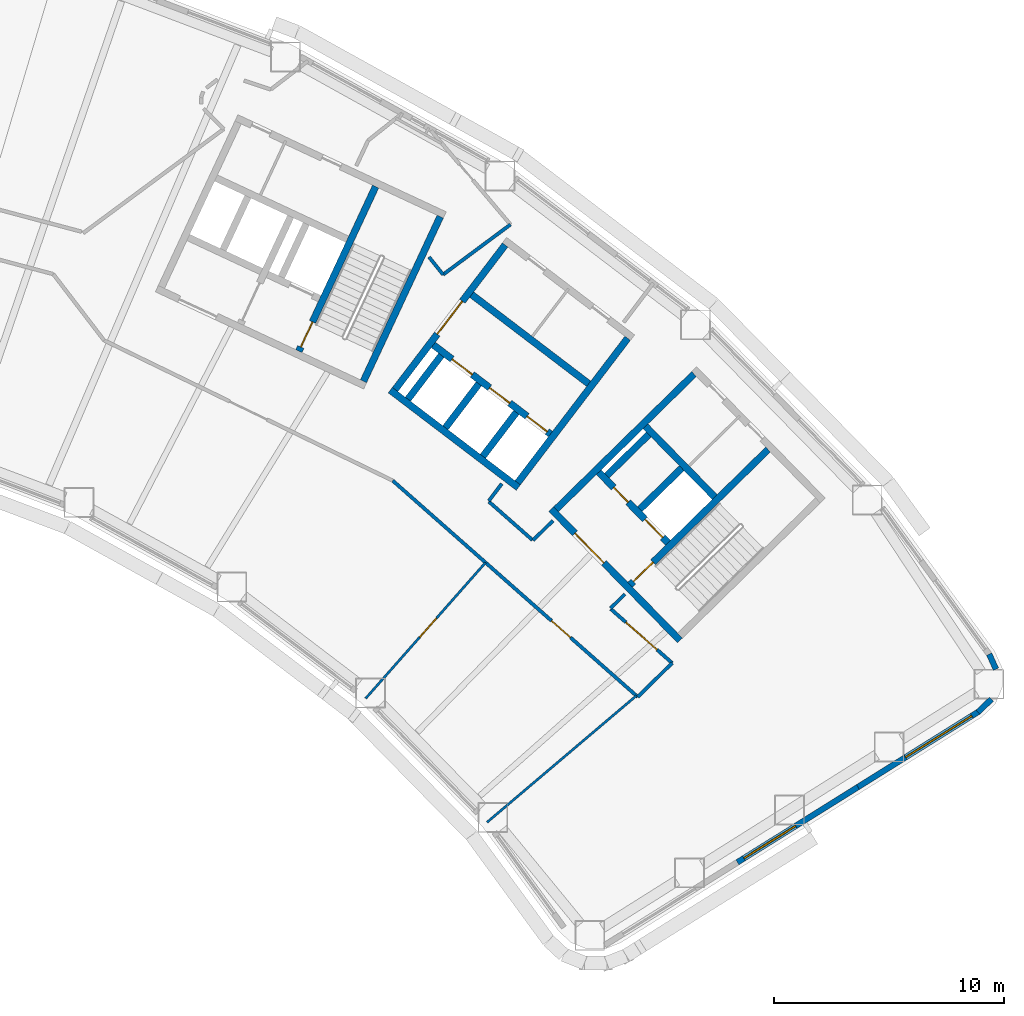
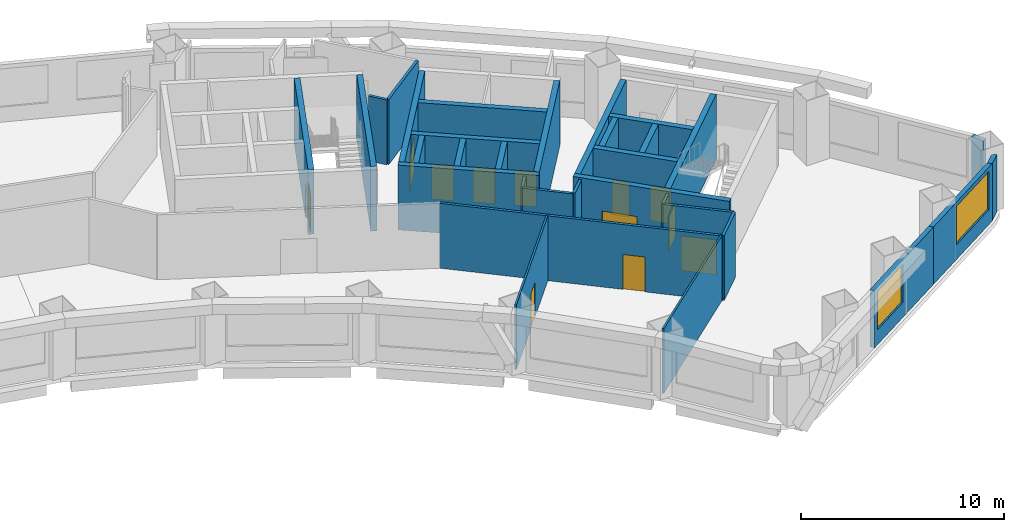
# One storey, part 6 of 14: 32 walls, 12 doors, 2 windows, 14 openings.
"""IFC4 building model written with IfcOpenShell, lengths in metres."""

from ifc_helpers import new_model, si_unit, direction, frame, frame_2d, origin, place, context, subcontext, project, spatial, rectangle, extrude, material, layer, layer_set, type_object, element, fill, save


model = new_model("IFC4")

# Units and contexts
model_context = context("Model", 3, precision=1e-05, world=origin(), true_north=direction((0.0, 1.0)))
body_context = subcontext(model_context, "Body", "Model", "MODEL_VIEW")
ifc_project = project(units=[si_unit("LENGTHUNIT", "METRE"), si_unit("AREAUNIT", "SQUARE_METRE"), si_unit("VOLUMEUNIT", "CUBIC_METRE"), si_unit("PLANEANGLEUNIT", "RADIAN"), si_unit("MASSUNIT", "GRAM", prefix="KILO")], contexts=[model_context])

# Site, building, storey
site_placement = place(None, origin())
site = spatial("IfcSite", under=ifc_project, at=site_placement, CompositionType="ELEMENT")
building_placement = place(site_placement, origin())
building = spatial("IfcBuilding", under=site, at=building_placement, Name="Tuul Gate Civic Tower", CompositionType="ELEMENT")
storey_placement = place(building_placement, frame((0.0, 0.0, 44.10009765625)))
storey = spatial("IfcBuildingStorey", under=building, at=storey_placement, Name="Level 09", CompositionType="ELEMENT", Elevation=44.10009765625)

# Wall, opening, door
ifc_material_1 = material(Name="Concrete C50/60", Category="concrete")
ifc_layer_1 = layer(ifc_material_1, 0.300048828125)
ifc_layer_set_1 = layer_set([ifc_layer_1], Name="Concrete C50/60")
wall_type_1 = type_object("IfcWallType", Name="Core wall C50/60", PredefinedType="SHEAR", material=ifc_layer_set_1)
wall_1_placement = place(storey_placement, frame((48.22509765625, -18.327880859375, 0.0), z_axis=(0.0, 0.0, 1.0), x_axis=(-0.700021979774, 0.714121297703, 0.0)))
wall_1 = element("IfcWall", 1, at=wall_1_placement, inside=storey, type_object=wall_type_1, Name="Core wall", PredefinedType="SHEAR", context=body_context, shape_type="SweptSolid", body=[
    extrude(rectangle(XDim=8.0, YDim=0.300048828125, at=frame_2d((4.0, 0.0))), origin(), (0.0, 0.0, 1.0), 3.89990234375),
])
opening_1_placement = place(wall_1_placement, frame((4.72509765625, 0.0, 0.0)))
opening_1 = element("IfcOpeningElement", 2, at=opening_1_placement, cuts=wall_1, Name="Opening LB-E1-LOBBY-1", PredefinedType="OPENING", context=body_context, shape_type="SweptSolid", body=[
    extrude(rectangle(XDim=1.800048828125, YDim=2.10009765625, at=frame_2d((0.89990234375, 1.050048828125))), frame((0.0, 0.16015625, 0.0), z_axis=(0.0, -1.0, 0.0), x_axis=(1.0, 0.0, 0.0)), (0.0, 0.0, 1.0), 0.320068359375),
])
ifc_material_2 = material(Name="Steel", Category="steel")
door_type_1 = type_object("IfcDoorType", Name="Lobby door", OperationType="DOUBLE_DOOR_SINGLE_SWING", PredefinedType="DOOR", material=ifc_material_2)
door_1_placement = place(opening_1_placement, frame((1.800048828125, 0.0, 0.0), z_axis=(0.0, 0.0, 1.0), x_axis=(-1.0, 0.0, 0.0)))
door_1 = element("IfcDoor", 3, at=door_1_placement, inside=storey, type_object=door_type_1, Name="Lobby door E1-LOBBY", OperationType="DOUBLE_DOOR_SINGLE_SWING", OverallHeight=2.10009765625, OverallWidth=1.800048828125, PredefinedType="DOOR", context=body_context, shape_type="SweptSolid", body=[
    extrude(rectangle(XDim=1.800048828125, YDim=2.10009765625, at=frame_2d((0.900146484375, 1.050048828125))), frame((0.0, 0.02490234375, 0.0), z_axis=(0.0, -1.0, 0.0), x_axis=(1.0, 0.0, 0.0)), (0.0, 0.0, 1.0), 0.050048828125),
])
fill(opening_1, door_1)

# Wall, openings, doors
wall_2_placement = place(storey_placement, frame((47.701904296875, -14.079833984375, 0.0), z_axis=(0.0, 0.0, 1.0), x_axis=(-0.700002721075, 0.714140175657, 0.0)))
wall_2 = element("IfcWall", 4, at=wall_2_placement, inside=storey, type_object=wall_type_1, Name="Core wall", PredefinedType="SHEAR", context=body_context, shape_type="SweptSolid", body=[
    extrude(rectangle(XDim=4.300048828125, YDim=0.300048828125, at=frame_2d((2.14990234375, 0.0))), origin(), (0.0, 0.0, 1.0), 3.89990234375),
])
opening_2_placement = place(wall_2_placement, frame((0.324951171875, 0.0, 0.0)))
opening_2 = element("IfcOpeningElement", 5, at=opening_2_placement, cuts=wall_2, Name="Opening LD-L4", PredefinedType="OPENING", context=body_context, shape_type="SweptSolid", body=[
    extrude(rectangle(XDim=1.10009765625, YDim=2.10009765625, at=frame_2d((0.550048828125, 1.050048828125))), frame((0.0, 0.16015625, 0.0), z_axis=(0.0, -1.0, 0.0), x_axis=(1.0, 0.0, 0.0)), (0.0, 0.0, 1.0), 0.320068359375),
])
opening_3_placement = place(wall_2_placement, frame((2.47509765625, 0.0, 0.0)))
opening_3 = element("IfcOpeningElement", 6, at=opening_3_placement, cuts=wall_2, Name="Opening FB-E1A2", PredefinedType="OPENING", context=body_context, shape_type="SweptSolid", body=[
    extrude(rectangle(XDim=0.89990234375, YDim=2.10009765625, at=frame_2d((0.449951171875, 1.050048828125))), frame((0.0, 0.16015625, 0.0), z_axis=(0.0, -1.0, 0.0), x_axis=(1.0, 0.0, 0.0)), (0.0, 0.0, 1.0), 0.320068359375),
])
ifc_material_3 = material(Name="Stainless steel", Category="steel")
door_type_2 = type_object("IfcDoorType", Name="Landing door", OperationType="DOUBLE_DOOR_SLIDING", PredefinedType="DOOR", material=ifc_material_3)
door_2_placement = place(opening_2_placement, origin())
door_2 = element("IfcDoor", 7, at=door_2_placement, inside=storey, type_object=door_type_2, Name="Low-rise lift L4 landing door", OperationType="DOUBLE_DOOR_SLIDING", OverallHeight=2.10009765625, OverallWidth=1.10009765625, PredefinedType="DOOR", context=body_context, shape_type="SweptSolid", body=[
    extrude(rectangle(XDim=1.10009765625, YDim=2.10009765625, at=frame_2d((0.550048828125, 1.050048828125))), frame((0.0, 0.02490234375, 0.0), z_axis=(0.0, -1.0, 0.0), x_axis=(1.0, 0.0, 0.0)), (0.0, 0.0, 1.0), 0.050048828125),
])
fill(opening_2, door_2)
ifc_material_4 = material(Name="Steel", Category="steel")
door_type_3 = type_object("IfcDoorType", Name="Store door", OperationType="NOTDEFINED", PredefinedType="DOOR", material=ifc_material_4)
door_3_placement = place(opening_3_placement, frame((0.89990234375, 0.0, 0.0), z_axis=(0.0, 0.0, 1.0), x_axis=(-1.0, 0.0, 0.0)))
door_3 = element("IfcDoor", 8, at=door_3_placement, inside=storey, type_object=door_type_3, Name="Store door E1A2", OperationType="SINGLE_SWING_LEFT", OverallHeight=2.10009765625, OverallWidth=0.89990234375, PredefinedType="DOOR", context=body_context, shape_type="SweptSolid", body=[
    extrude(rectangle(XDim=0.89990234375, YDim=2.10009765625, at=frame_2d((0.449951171875, 1.050048828125))), frame((0.0, 0.02490234375, 0.0), z_axis=(0.0, -1.0, 0.0), x_axis=(1.0, 0.0, 0.0)), (0.0, 0.0, 1.0), 0.050048828125),
])
fill(opening_3, door_3)

# Wall
wall_3_placement = place(storey_placement, frame((49.737060546875, -12.0849609375, 0.0), z_axis=(0.0, 0.0, 1.0), x_axis=(-0.700002721075, 0.714140175657, 0.0)))
element("IfcWall", 9, at=wall_3_placement, inside=storey, type_object=wall_type_1, Name="Core wall", PredefinedType="SHEAR", context=body_context, shape_type="SweptSolid", body=[
    extrude(rectangle(XDim=4.300048828125, YDim=0.300048828125, at=frame_2d((2.14990234375, 0.0))), origin(), (0.0, 0.0, 1.0), 3.89990234375),
])

# Wall, opening, door
wall_4_placement = place(storey_placement, frame((46.05712890625, -15.902099609375, 0.0), z_axis=(0.0, 0.0, 1.0), x_axis=(0.714134086973, 0.700008932674, 0.0)))
wall_4 = element("IfcWall", 10, at=wall_4_placement, inside=storey, type_object=wall_type_1, Name="Core wall", PredefinedType="SHEAR", context=body_context, shape_type="SweptSolid", body=[
    extrude(rectangle(XDim=8.400146484375, YDim=0.300048828125, at=frame_2d((4.2001953125, 0.0))), origin(), (0.0, 0.0, 1.0), 3.89990234375),
])
opening_4_placement = place(wall_4_placement, frame((0.199951171875, 0.0, 0.0)))
opening_4 = element("IfcOpeningElement", 11, at=opening_4_placement, cuts=wall_4, Name="Opening SD-ST-3", PredefinedType="OPENING", context=body_context, shape_type="SweptSolid", body=[
    extrude(rectangle(XDim=1.199951171875, YDim=2.10009765625, at=frame_2d((0.60009765625, 1.050048828125))), frame((0.0, 0.16015625, 0.0), z_axis=(0.0, -1.0, 0.0), x_axis=(1.0, 0.0, 0.0)), (0.0, 0.0, 1.0), 0.320068359375),
])
ifc_material_5 = material(Name="Steel", Category="steel")
door_type_4 = type_object("IfcDoorType", Name="Stair door", OperationType="NOTDEFINED", PredefinedType="DOOR", material=ifc_material_5)
door_4_placement = place(opening_4_placement, origin())
door_4 = element("IfcDoor", 12, at=door_4_placement, inside=storey, type_object=door_type_4, Name="Stair door ST-3", OperationType="SINGLE_SWING_LEFT", OverallHeight=2.10009765625, OverallWidth=1.199951171875, PredefinedType="DOOR", context=body_context, shape_type="SweptSolid", body=[
    extrude(rectangle(XDim=1.199951171875, YDim=2.10009765625, at=frame_2d((0.60009765625, 1.050048828125))), frame((0.0, 0.02490234375, 0.0), z_axis=(0.0, -1.0, 0.0), x_axis=(1.0, 0.0, 0.0)), (0.0, 0.0, 1.0), 0.050048828125),
])
fill(opening_4, door_4)

# Walls
wall_5_placement = place(storey_placement, frame((46.47900390625, -12.617919921875, 0.0), z_axis=(0.0, 0.0, 1.0), x_axis=(0.71410944159, 0.700034074479, 0.0)))
element("IfcWall", 13, at=wall_5_placement, inside=storey, type_object=wall_type_1, Name="Core wall", PredefinedType="SHEAR", context=body_context, shape_type="SweptSolid", body=[
    extrude(rectangle(XDim=2.5498046875, YDim=0.300048828125, at=frame_2d((1.27490234375, 0.0))), origin(), (0.0, 0.0, 1.0), 3.89990234375),
])
wall_6_placement = place(storey_placement, frame((45.0439453125, -11.154052734375, 0.0), z_axis=(0.0, 0.0, 1.0), x_axis=(0.714108498262, 0.700035036773, 0.0)))
element("IfcWall", 14, at=wall_6_placement, inside=storey, type_object=wall_type_1, Name="Core wall", PredefinedType="SHEAR", context=body_context, shape_type="SweptSolid", body=[
    extrude(rectangle(XDim=2.550048828125, YDim=0.300048828125, at=frame_2d((1.27490234375, 0.0))), origin(), (0.0, 0.0, 1.0), 3.89990234375),
])
wall_7_placement = place(storey_placement, frame((42.837158203125, -12.616943359375, 0.0), z_axis=(0.0, 0.0, 1.0), x_axis=(0.714119844755, 0.700023461983, 0.0)))
element("IfcWall", 15, at=wall_7_placement, inside=storey, type_object=wall_type_1, Name="Core wall", PredefinedType="SHEAR", context=body_context, shape_type="SweptSolid", body=[
    extrude(rectangle(XDim=8.39990234375, YDim=0.300048828125, at=frame_2d((4.199951171875, 0.0))), origin(), (0.0, 0.0, 1.0), 3.89990234375),
])
wall_8_placement = place(storey_placement, frame((34.455810546875, -7.05078125, 0.0), z_axis=(0.0, 0.0, 1.0), x_axis=(0.422570768258, 0.906329932096, 0.0)))
element("IfcWall", 16, at=wall_8_placement, inside=storey, type_object=wall_type_1, Name="Core wall", PredefinedType="SHEAR", context=body_context, shape_type="SweptSolid", body=[
    extrude(rectangle(XDim=7.900146484375, YDim=0.300048828125, at=frame_2d((3.9501953125, 0.0))), origin(), (0.0, 0.0, 1.0), 3.89990234375),
])

# Wall, opening, door
wall_9_placement = place(storey_placement, frame((31.646240234375, -5.740478515625, 0.0), z_axis=(0.0, 0.0, 1.0), x_axis=(0.422582604137, 0.906324413596, 0.0)))
wall_9 = element("IfcWall", 17, at=wall_9_placement, inside=storey, type_object=wall_type_1, Name="Core wall", PredefinedType="SHEAR", context=body_context, shape_type="SweptSolid", body=[
    extrude(rectangle(XDim=7.89990234375, YDim=0.300048828125, at=frame_2d((3.949951171875, 0.0))), origin(), (0.0, 0.0, 1.0), 3.89990234375),
])
opening_5_placement = place(wall_9_placement, frame((0.199951171875, 0.0, 0.0)))
opening_5 = element("IfcOpeningElement", 18, at=opening_5_placement, cuts=wall_9, Name="Opening SD-ST-4", PredefinedType="OPENING", context=body_context, shape_type="SweptSolid", body=[
    extrude(rectangle(XDim=1.199951171875, YDim=2.10009765625, at=frame_2d((0.60009765625, 1.050048828125))), frame((0.0, 0.16015625, 0.0), z_axis=(0.0, -1.0, 0.0), x_axis=(1.0, 0.0, 0.0)), (0.0, 0.0, 1.0), 0.320068359375),
])
door_5_placement = place(opening_5_placement, origin())
door_5 = element("IfcDoor", 19, at=door_5_placement, inside=storey, type_object=door_type_4, Name="Stair door ST-4", OperationType="SINGLE_SWING_LEFT", OverallHeight=2.10009765625, OverallWidth=1.199951171875, PredefinedType="DOOR", context=body_context, shape_type="SweptSolid", body=[
    extrude(rectangle(XDim=1.199951171875, YDim=2.10009765625, at=frame_2d((0.60009765625, 1.050048828125))), frame((0.0, 0.02490234375, 0.0), z_axis=(0.0, -1.0, 0.0), x_axis=(1.0, 0.0, 0.0)), (0.0, 0.0, 1.0), 0.050048828125),
])
fill(opening_5, door_5)

ifc_material_6 = material(Name="Gypsum board partition")
ifc_layer_2 = layer(ifc_material_6, 0.14990234375)
ifc_layer_set_2 = layer_set([ifc_layer_2], Name="Gypsum board partition")
wall_type_2 = type_object("IfcWallType", Name="Corridor wall P150", PredefinedType="PARTITIONING", material=ifc_layer_set_2)
wall_10_placement = place(storey_placement, frame((35.7294921875, -11.376708984375, 0.0), z_axis=(0.0, 0.0, 1.0), x_axis=(0.749813799655, -0.661648899226, 0.0)))
wall_10 = element("IfcWall", 20, at=wall_10_placement, inside=storey, type_object=wall_type_2, Name="p002", PredefinedType="PARTITIONING", context=body_context, shape_type="SweptSolid", body=[
    extrude(rectangle(XDim=14.216796875, YDim=0.14990234375, at=frame_2d((7.1083984375, 0.0))), origin(), (0.0, 0.0, 1.0), 3.89990234375),
])
opening_6_placement = place(wall_10_placement, frame((9.210205078125, 0.0, 0.0)))
opening_6 = element("IfcOpeningElement", 21, at=opening_6_placement, cuts=wall_10, Name="Opening B-D07", PredefinedType="OPENING", context=body_context, shape_type="SweptSolid", body=[
    extrude(rectangle(XDim=1.10009765625, YDim=2.10009765625, at=frame_2d((0.550048828125, 1.050048828125))), frame((0.0, 0.0849609375, 0.0), z_axis=(0.0, -1.0, 0.0), x_axis=(1.0, 0.0, 0.0)), (0.0, 0.0, 1.0), 0.169921875),
])
ifc_material_7 = material(Name="Timber door leaf", Category="wood")
door_type_5 = type_object("IfcDoorType", Name="Door D11", OperationType="NOTDEFINED", PredefinedType="DOOR", material=ifc_material_7)
door_6_placement = place(opening_6_placement, frame((1.10009765625, 0.0, 0.0), z_axis=(0.0, 0.0, 1.0), x_axis=(-1.0, 0.0, 0.0)))
door_6 = element("IfcDoor", 22, at=door_6_placement, inside=storey, type_object=door_type_5, Name="Door B-D07", OperationType="SINGLE_SWING_LEFT", OverallHeight=2.10009765625, OverallWidth=1.10009765625, PredefinedType="DOOR", context=body_context, shape_type="SweptSolid", body=[
    extrude(rectangle(XDim=1.10009765625, YDim=2.10009765625, at=frame_2d((0.550048828125, 1.050048828125))), frame((0.0, 0.02490234375, 0.0), z_axis=(0.0, -1.0, 0.0), x_axis=(1.0, 0.0, 0.0)), (0.0, 0.0, 1.0), 0.050048828125),
])
fill(opening_6, door_6)

# Walls
wall_11_placement = place(storey_placement, frame((46.389404296875, -20.783203125, 0.0), z_axis=(0.0, 0.0, 1.0), x_axis=(0.711568254361, 0.702616979147, 0.0)))
element("IfcWall", 23, at=wall_11_placement, inside=storey, type_object=wall_type_2, Name="p003", PredefinedType="PARTITIONING", context=body_context, shape_type="SweptSolid", body=[
    extrude(rectangle(XDim=2.10009765625, YDim=0.14990234375, at=frame_2d((1.050048828125, 0.0))), origin(), (0.0, 0.0, 1.0), 3.89990234375),
])
wall_12_placement = place(storey_placement, frame((39.9091796875, -12.28662109375, 0.0), z_axis=(0.0, 0.0, 1.0), x_axis=(0.75053401332, -0.660831820397, 0.0)))
element("IfcWall", 24, at=wall_12_placement, inside=storey, type_object=wall_type_2, Name="p004", PredefinedType="PARTITIONING", context=body_context, shape_type="SweptSolid", body=[
    extrude(rectangle(XDim=2.53662109375, YDim=0.14990234375, at=frame_2d((1.268310546875, 0.0))), origin(), (0.0, 0.0, 1.0), 3.89990234375),
])

# Wall, opening, door
wall_13_placement = place(storey_placement, frame((45.210693359375, -16.954345703125, 0.0), z_axis=(0.0, 0.0, 1.0), x_axis=(0.750581589345, -0.660777782418, 0.0)))
wall_13 = element("IfcWall", 25, at=wall_13_placement, inside=storey, type_object=wall_type_2, Name="p005", PredefinedType="PARTITIONING", context=body_context, shape_type="SweptSolid", body=[
    extrude(rectangle(XDim=3.561279296875, YDim=0.14990234375, at=frame_2d((1.78076171875, 0.0))), origin(), (0.0, 0.0, 1.0), 3.89990234375),
])
opening_7_placement = place(wall_13_placement, frame((0.880615234375, 0.0, 0.0)))
opening_7 = element("IfcOpeningElement", 26, at=opening_7_placement, cuts=wall_13, Name="Opening B-D01", PredefinedType="OPENING", context=body_context, shape_type="SweptSolid", body=[
    extrude(rectangle(XDim=1.800048828125, YDim=2.10009765625, at=frame_2d((0.89990234375, 1.050048828125))), frame((0.0, 0.0849609375, 0.0), z_axis=(0.0, -1.0, 0.0), x_axis=(1.0, 0.0, 0.0)), (0.0, 0.0, 1.0), 0.169921875),
])
ifc_material_8 = material(Name="Timber door leaf, double", Category="wood")
door_type_6 = type_object("IfcDoorType", Name="Door D18", OperationType="DOUBLE_DOOR_SINGLE_SWING", PredefinedType="DOOR", material=ifc_material_8)
door_7_placement = place(opening_7_placement, frame((1.800048828125, 0.0, 0.0), z_axis=(0.0, 0.0, 1.0), x_axis=(-1.0, 0.0, 0.0)))
door_7 = element("IfcDoor", 27, at=door_7_placement, inside=storey, type_object=door_type_6, Name="Door B-D01", OperationType="DOUBLE_DOOR_SINGLE_SWING", OverallHeight=2.10009765625, OverallWidth=1.800048828125, PredefinedType="DOOR", context=body_context, shape_type="SweptSolid", body=[
    extrude(rectangle(XDim=1.800048828125, YDim=2.10009765625, at=frame_2d((0.900146484375, 1.050048828125))), frame((0.0, 0.02490234375, 0.0), z_axis=(0.0, -1.0, 0.0), x_axis=(1.0, 0.0, 0.0)), (0.0, 0.0, 1.0), 0.050048828125),
])
fill(opening_7, door_7)

# Walls
wall_14_placement = place(storey_placement, frame((45.2099609375, -16.924560546875, 0.0), z_axis=(0.0, 0.0, 1.0), x_axis=(0.710880918449, 0.703312391321, 0.0)))
element("IfcWall", 28, at=wall_14_placement, inside=storey, type_object=wall_type_2, Name="p006", PredefinedType="PARTITIONING", context=body_context, shape_type="SweptSolid", body=[
    extrude(rectangle(XDim=0.870849609375, YDim=0.14990234375, at=frame_2d((0.435546875, 0.0))), origin(), (0.0, 0.0, 1.0), 3.89990234375),
])
wall_15_placement = place(storey_placement, frame((41.836669921875, -13.965576171875, 0.0), z_axis=(0.0, 0.0, 1.0), x_axis=(0.712339919923, 0.701834623316, 0.0)))
element("IfcWall", 29, at=wall_15_placement, inside=storey, type_object=wall_type_2, Name="p007", PredefinedType="PARTITIONING", context=body_context, shape_type="SweptSolid", body=[
    extrude(rectangle(XDim=1.20849609375, YDim=0.14990234375, at=frame_2d((0.604248046875, 0.0))), origin(), (0.0, 0.0, 1.0), 3.89990234375),
])
wall_16_placement = place(storey_placement, frame((39.90625, -12.2587890625, 0.0), z_axis=(0.0, 0.0, 1.0), x_axis=(0.602818411343, 0.797878413636, 0.0)))
element("IfcWall", 30, at=wall_16_placement, inside=storey, type_object=wall_type_2, Name="p008", PredefinedType="PARTITIONING", context=body_context, shape_type="SweptSolid", body=[
    extrude(rectangle(XDim=0.941162109375, YDim=0.14990234375, at=frame_2d((0.470703125, 0.0))), origin(), (0.0, 0.0, 1.0), 3.89990234375),
])
wall_17_placement = place(storey_placement, frame((37.91796875, -2.41162109375, 0.0), z_axis=(0.0, 0.0, 1.0), x_axis=(0.802678044925, 0.59641257213, 0.0)))
element("IfcWall", 31, at=wall_17_placement, inside=storey, type_object=wall_type_2, Name="p010", PredefinedType="PARTITIONING", context=body_context, shape_type="SweptSolid", body=[
    extrude(rectangle(XDim=3.65380859375, YDim=0.14990234375, at=frame_2d((1.826904296875, 0.0))), origin(), (0.0, 0.0, 1.0), 3.89990234375),
])
wall_18_placement = place(storey_placement, frame((37.30712890625, -1.6455078125, 0.0), z_axis=(0.0, 0.0, 1.0), x_axis=(0.623417987598, -0.781888747035, 0.0)))
element("IfcWall", 32, at=wall_18_placement, inside=storey, type_object=wall_type_2, Name="p011", PredefinedType="PARTITIONING", context=body_context, shape_type="SweptSolid", body=[
    extrude(rectangle(XDim=0.979736328125, YDim=0.14990234375, at=frame_2d((0.48974609375, 0.0))), origin(), (0.0, 0.0, 1.0), 3.89990234375),
])
ifc_material_9 = material(Name="Precast concrete C40/50", Category="concrete")
ifc_layer_3 = layer(ifc_material_9, 0.25)
ifc_layer_set_3 = layer_set([ifc_layer_3], Name="Precast concrete C40/50")
wall_type_3 = type_object("IfcWallType", Name="External wall", PredefinedType="STANDARD", material=ifc_layer_set_3)
wall_19_placement = place(storey_placement, frame((61.1904296875, -21.442626953125, 0.0), z_axis=(0.0, 0.0, 1.0), x_axis=(0.722244224905, 0.691638113172, 0.0)))
element("IfcWall", 33, at=wall_19_placement, inside=storey, type_object=wall_type_3, Name="External wall", PredefinedType="STANDARD", context=body_context, shape_type="SweptSolid", body=[
    extrude(rectangle(XDim=0.813720703125, YDim=0.25, at=frame_2d((0.40673828125, 0.0))), origin(), (0.0, 0.0, 1.0), 3.449951171875),
])
wall_20_placement = place(storey_placement, frame((61.973388671875, -19.580078125, 0.0), z_axis=(0.0, 0.0, 1.0), x_axis=(-0.412831515496, 0.910807410934, 0.0)))
element("IfcWall", 34, at=wall_20_placement, inside=storey, type_object=wall_type_3, Name="External wall", PredefinedType="STANDARD", context=body_context, shape_type="SweptSolid", body=[
    extrude(rectangle(XDim=0.7197265625, YDim=0.25, at=frame_2d((0.35986328125, 0.0))), origin(), (0.0, 0.0, 1.0), 3.449951171875),
])

# Wall, opening, window
wall_21_placement = place(storey_placement, frame((50.72412109375, -27.979736328125, 0.0), z_axis=(0.0, 0.0, 1.0), x_axis=(0.848053758074, 0.529910203164, 0.0)))
wall_21 = element("IfcWall", 35, at=wall_21_placement, inside=storey, type_object=wall_type_3, Name="External wall", PredefinedType="STANDARD", context=body_context, shape_type="SweptSolid", body=[
    extrude(rectangle(XDim=6.182861328125, YDim=0.25, at=frame_2d((3.09130859375, 0.0))), origin(), (0.0, 0.0, 1.0), 3.449951171875),
])
opening_8_placement = place(wall_21_placement, frame((0.3330078125, 0.0, 0.89990234375)))
opening_8 = element("IfcOpeningElement", 36, at=opening_8_placement, cuts=wall_21, Name="Opening W37", PredefinedType="OPENING", context=body_context, shape_type="SweptSolid", body=[
    extrude(rectangle(XDim=2.64990234375, YDim=2.300048828125, at=frame_2d((1.324951171875, 1.14990234375))), frame((0.0, 0.135009765625, 0.0), z_axis=(0.0, -1.0, 0.0), x_axis=(1.0, 0.0, 0.0)), (0.0, 0.0, 1.0), 0.27001953125),
])
ifc_material_10 = material(Name="Glass", Category="glass")
window_type_1 = type_object("IfcWindowType", Name="Window 2650 x 2300", PartitioningType="SINGLE_PANEL", PredefinedType="WINDOW", material=ifc_material_10)
window_1_placement = place(opening_8_placement, origin())
window_1 = element("IfcWindow", 37, at=window_1_placement, inside=storey, type_object=window_type_1, Name="Window", OverallHeight=2.300048828125, OverallWidth=2.64990234375, PartitioningType="SINGLE_PANEL", PredefinedType="WINDOW", context=body_context, shape_type="SweptSolid", body=[
    extrude(rectangle(XDim=2.64990234375, YDim=2.300048828125, at=frame_2d((1.324951171875, 1.14990234375))), frame((0.0, 0.030029296875, 0.0), z_axis=(0.0, -1.0, 0.0), x_axis=(1.0, 0.0, 0.0)), (0.0, 0.0, 1.0), 0.06005859375),
])
fill(opening_8, window_1)

wall_22_placement = place(storey_placement, frame((55.967529296875, -24.703369140625, 0.0), z_axis=(0.0, 0.0, 1.0), x_axis=(0.848042669488, 0.529927948619, 0.0)))
wall_22 = element("IfcWall", 38, at=wall_22_placement, inside=storey, type_object=wall_type_3, Name="External wall", PredefinedType="STANDARD", context=body_context, shape_type="SweptSolid", body=[
    extrude(rectangle(XDim=6.1826171875, YDim=0.25, at=frame_2d((3.09130859375, 0.0))), origin(), (0.0, 0.0, 1.0), 3.449951171875),
])
opening_9_placement = place(wall_22_placement, frame((2.443115234375, 0.0, 0.89990234375)))
opening_9 = element("IfcOpeningElement", 39, at=opening_9_placement, cuts=wall_22, Name="Opening W32", PredefinedType="OPENING", context=body_context, shape_type="SweptSolid", body=[
    extrude(rectangle(XDim=3.39990234375, YDim=2.300048828125, at=frame_2d((1.699951171875, 1.14990234375))), frame((0.0, 0.135009765625, 0.0), z_axis=(0.0, -1.0, 0.0), x_axis=(1.0, 0.0, 0.0)), (0.0, 0.0, 1.0), 0.27001953125),
])
ifc_material_11 = material(Name="Glass", Category="glass")
window_type_2 = type_object("IfcWindowType", Name="Window 3400 x 2300", PartitioningType="SINGLE_PANEL", PredefinedType="WINDOW", material=ifc_material_11)
window_2_placement = place(opening_9_placement, origin())
window_2 = element("IfcWindow", 40, at=window_2_placement, inside=storey, type_object=window_type_2, Name="Window", OverallHeight=2.300048828125, OverallWidth=3.39990234375, PartitioningType="SINGLE_PANEL", PredefinedType="WINDOW", context=body_context, shape_type="SweptSolid", body=[
    extrude(rectangle(XDim=3.39990234375, YDim=2.300048828125, at=frame_2d((1.699951171875, 1.14990234375))), frame((0.0, 0.030029296875, 0.0), z_axis=(0.0, -1.0, 0.0), x_axis=(1.0, 0.0, 0.0)), (0.0, 0.0, 1.0), 0.06005859375),
])
fill(opening_9, window_2)

# Wall
ifc_material_12 = material(Name="Concrete C40/50", Category="concrete")
ifc_layer_4 = layer(ifc_material_12, 0.300048828125)
ifc_layer_set_4 = layer_set([ifc_layer_4], Name="Concrete C40/50")
wall_type_4 = type_object("IfcWallType", Name="Lift shaft wall C40/50", PredefinedType="STANDARD", material=ifc_layer_set_4)
wall_23_placement = place(storey_placement, frame((41.19189453125, -11.677734375, 0.0), z_axis=(0.0, 0.0, 1.0), x_axis=(-0.795563000331, 0.605870871147, 0.0)))
element("IfcWall", 41, at=wall_23_placement, inside=storey, type_object=wall_type_4, Name="Shaft wall", PredefinedType="STANDARD", context=body_context, shape_type="SweptSolid", body=[
    extrude(rectangle(XDim=7.000244140625, YDim=0.300048828125, at=frame_2d((3.5, 0.0))), origin(), (0.0, 0.0, 1.0), 3.89990234375),
])

# Wall, openings, doors
wall_24_placement = place(storey_placement, frame((42.5888671875, -9.34765625, 0.0), z_axis=(0.0, 0.0, 1.0), x_axis=(-0.795584062101, 0.605843214149, 0.0)))
wall_24 = element("IfcWall", 42, at=wall_24_placement, inside=storey, type_object=wall_type_4, Name="Shaft wall", PredefinedType="STANDARD", context=body_context, shape_type="SweptSolid", body=[
    extrude(rectangle(XDim=6.400146484375, YDim=0.300048828125, at=frame_2d((3.2001953125, 0.0))), origin(), (0.0, 0.0, 1.0), 3.89990234375),
])
opening_10_placement = place(wall_24_placement, frame((0.175048828125, 0.0, 0.0)))
opening_10 = element("IfcOpeningElement", 43, at=opening_10_placement, cuts=wall_24, Name="Opening LD-L1", PredefinedType="OPENING", context=body_context, shape_type="SweptSolid", body=[
    extrude(rectangle(XDim=1.10009765625, YDim=2.10009765625, at=frame_2d((0.550048828125, 1.050048828125))), frame((0.0, 0.16015625, 0.0), z_axis=(0.0, -1.0, 0.0), x_axis=(1.0, 0.0, 0.0)), (0.0, 0.0, 1.0), 0.320068359375),
])
opening_11_placement = place(wall_24_placement, frame((2.22509765625, 0.0, 0.0)))
opening_11 = element("IfcOpeningElement", 44, at=opening_11_placement, cuts=wall_24, Name="Opening LD-L2", PredefinedType="OPENING", context=body_context, shape_type="SweptSolid", body=[
    extrude(rectangle(XDim=1.10009765625, YDim=2.10009765625, at=frame_2d((0.550048828125, 1.050048828125))), frame((0.0, 0.16015625, 0.0), z_axis=(0.0, -1.0, 0.0), x_axis=(1.0, 0.0, 0.0)), (0.0, 0.0, 1.0), 0.320068359375),
])
opening_12_placement = place(wall_24_placement, frame((4.27490234375, 0.0, 0.0)))
opening_12 = element("IfcOpeningElement", 45, at=opening_12_placement, cuts=wall_24, Name="Opening LD-L3", PredefinedType="OPENING", context=body_context, shape_type="SweptSolid", body=[
    extrude(rectangle(XDim=1.10009765625, YDim=2.10009765625, at=frame_2d((0.550048828125, 1.050048828125))), frame((0.0, 0.16015625, 0.0), z_axis=(0.0, -1.0, 0.0), x_axis=(1.0, 0.0, 0.0)), (0.0, 0.0, 1.0), 0.320068359375),
])
door_8_placement = place(opening_10_placement, origin())
door_8 = element("IfcDoor", 46, at=door_8_placement, inside=storey, type_object=door_type_2, Name="Low-rise lift L1 landing door", OperationType="DOUBLE_DOOR_SLIDING", OverallHeight=2.10009765625, OverallWidth=1.10009765625, PredefinedType="DOOR", context=body_context, shape_type="SweptSolid", body=[
    extrude(rectangle(XDim=1.10009765625, YDim=2.10009765625, at=frame_2d((0.550048828125, 1.050048828125))), frame((0.0, 0.02490234375, 0.0), z_axis=(0.0, -1.0, 0.0), x_axis=(1.0, 0.0, 0.0)), (0.0, 0.0, 1.0), 0.050048828125),
])
fill(opening_10, door_8)
door_9_placement = place(opening_11_placement, origin())
door_9 = element("IfcDoor", 47, at=door_9_placement, inside=storey, type_object=door_type_2, Name="Low-rise lift L2 landing door", OperationType="DOUBLE_DOOR_SLIDING", OverallHeight=2.10009765625, OverallWidth=1.10009765625, PredefinedType="DOOR", context=body_context, shape_type="SweptSolid", body=[
    extrude(rectangle(XDim=1.10009765625, YDim=2.10009765625, at=frame_2d((0.550048828125, 1.050048828125))), frame((0.0, 0.02490234375, 0.0), z_axis=(0.0, -1.0, 0.0), x_axis=(1.0, 0.0, 0.0)), (0.0, 0.0, 1.0), 0.050048828125),
])
fill(opening_11, door_9)
door_10_placement = place(opening_12_placement, origin())
door_10 = element("IfcDoor", 48, at=door_10_placement, inside=storey, type_object=door_type_2, Name="Low-rise lift L3 landing door", OperationType="DOUBLE_DOOR_SLIDING", OverallHeight=2.10009765625, OverallWidth=1.10009765625, PredefinedType="DOOR", context=body_context, shape_type="SweptSolid", body=[
    extrude(rectangle(XDim=1.10009765625, YDim=2.10009765625, at=frame_2d((0.550048828125, 1.050048828125))), frame((0.0, 0.02490234375, 0.0), z_axis=(0.0, -1.0, 0.0), x_axis=(1.0, 0.0, 0.0)), (0.0, 0.0, 1.0), 0.050048828125),
])
fill(opening_12, door_10)

# Walls
wall_25_placement = place(storey_placement, frame((44.254638671875, -7.15966796875, 0.0), z_axis=(0.0, 0.0, 1.0), x_axis=(-0.795565675562, 0.605867358312, 0.0)))
element("IfcWall", 49, at=wall_25_placement, inside=storey, type_object=wall_type_4, Name="Shaft wall", PredefinedType="STANDARD", context=body_context, shape_type="SweptSolid", body=[
    extrude(rectangle(XDim=6.400146484375, YDim=0.300048828125, at=frame_2d((3.2001953125, 0.0))), origin(), (0.0, 0.0, 1.0), 3.89990234375),
])
wall_26_placement = place(storey_placement, frame((41.163330078125, -11.46728515625, 0.0), z_axis=(0.0, 0.0, 1.0), x_axis=(0.605784332699, 0.795628897324, 0.0)))
element("IfcWall", 50, at=wall_26_placement, inside=storey, type_object=wall_type_4, Name="Shaft wall", PredefinedType="STANDARD", context=body_context, shape_type="SweptSolid", body=[
    extrude(rectangle(XDim=7.89990234375, YDim=0.300048828125, at=frame_2d((3.949951171875, 0.0))), origin(), (0.0, 0.0, 1.0), 3.89990234375),
])
wall_27_placement = place(storey_placement, frame((39.65185546875, -10.31640625, 0.0), z_axis=(0.0, 0.0, 1.0), x_axis=(0.605745892068, 0.79565816419, 0.0)))
element("IfcWall", 51, at=wall_27_placement, inside=storey, type_object=wall_type_4, Name="Shaft wall", PredefinedType="STANDARD", context=body_context, shape_type="SweptSolid", body=[
    extrude(rectangle(XDim=2.400146484375, YDim=0.300048828125, at=frame_2d((1.2001953125, 0.0))), origin(), (0.0, 0.0, 1.0), 3.89990234375),
])
wall_28_placement = place(storey_placement, frame((38.02099609375, -9.07421875, 0.0), z_axis=(0.0, 0.0, 1.0), x_axis=(0.605730519254, 0.795669867498, 0.0)))
element("IfcWall", 52, at=wall_28_placement, inside=storey, type_object=wall_type_4, Name="Shaft wall", PredefinedType="STANDARD", context=body_context, shape_type="SweptSolid", body=[
    extrude(rectangle(XDim=2.399658203125, YDim=0.300048828125, at=frame_2d((1.19970703125, 0.0))), origin(), (0.0, 0.0, 1.0), 3.89990234375),
])
wall_29_placement = place(storey_placement, frame((36.389892578125, -7.832275390625, 0.0), z_axis=(0.0, 0.0, 1.0), x_axis=(0.605745892068, 0.79565816419, 0.0)))
element("IfcWall", 53, at=wall_29_placement, inside=storey, type_object=wall_type_4, Name="Shaft wall", PredefinedType="STANDARD", context=body_context, shape_type="SweptSolid", body=[
    extrude(rectangle(XDim=2.400146484375, YDim=0.300048828125, at=frame_2d((1.2001953125, 0.0))), origin(), (0.0, 0.0, 1.0), 3.89990234375),
])

# Wall, opening, door
wall_30_placement = place(storey_placement, frame((35.8330078125, -7.408203125, 0.0), z_axis=(0.0, 0.0, 1.0), x_axis=(0.605769437763, 0.795640237967, 0.0)))
wall_30 = element("IfcWall", 54, at=wall_30_placement, inside=storey, type_object=wall_type_4, Name="Shaft wall", PredefinedType="STANDARD", context=body_context, shape_type="SweptSolid", body=[
    extrude(rectangle(XDim=7.900146484375, YDim=0.300048828125, at=frame_2d((3.9501953125, 0.0))), origin(), (0.0, 0.0, 1.0), 3.89990234375),
])
opening_13_placement = place(wall_30_placement, frame((3.02490234375, 0.0, 0.0)))
opening_13 = element("IfcOpeningElement", 55, at=opening_13_placement, cuts=wall_30, Name="Opening LB-E2-LOBBY-1", PredefinedType="OPENING", context=body_context, shape_type="SweptSolid", body=[
    extrude(rectangle(XDim=1.800048828125, YDim=2.10009765625, at=frame_2d((0.89990234375, 1.050048828125))), frame((0.0, 0.16015625, 0.0), z_axis=(0.0, -1.0, 0.0), x_axis=(1.0, 0.0, 0.0)), (0.0, 0.0, 1.0), 0.320068359375),
])
door_11_placement = place(opening_13_placement, frame((1.800048828125, 0.0, 0.0), z_axis=(0.0, 0.0, 1.0), x_axis=(-1.0, 0.0, 0.0)))
door_11 = element("IfcDoor", 56, at=door_11_placement, inside=storey, type_object=door_type_1, Name="Lobby door E2-LOBBY", OperationType="DOUBLE_DOOR_SINGLE_SWING", OverallHeight=2.10009765625, OverallWidth=1.800048828125, PredefinedType="DOOR", context=body_context, shape_type="SweptSolid", body=[
    extrude(rectangle(XDim=1.800048828125, YDim=2.10009765625, at=frame_2d((0.900146484375, 1.050048828125))), frame((0.0, 0.02490234375, 0.0), z_axis=(0.0, -1.0, 0.0), x_axis=(1.0, 0.0, 0.0)), (0.0, 0.0, 1.0), 0.050048828125),
])
fill(opening_13, door_11)

# Wall
ifc_material_13 = material(Name="Gypsum board partition")
ifc_layer_5 = layer(ifc_material_13, 0.10009765625)
ifc_layer_set_5 = layer_set([ifc_layer_5], Name="Gypsum board partition")
wall_type_5 = type_object("IfcWallType", Name="Partition P100", PredefinedType="PARTITIONING", material=ifc_layer_set_5)
wall_31_placement = place(storey_placement, frame((39.82861328125, -26.239990234375, 0.0), z_axis=(0.0, 0.0, 1.0), x_axis=(0.762830690299, 0.646598281731, 0.0)))
element("IfcWall", 57, at=wall_31_placement, inside=storey, type_object=wall_type_5, Name="p001", PredefinedType="PARTITIONING", context=body_context, shape_type="SweptSolid", body=[
    extrude(rectangle(XDim=8.521484375, YDim=0.10009765625, at=frame_2d((4.2607421875, 0.0))), origin(), (0.0, 0.0, 1.0), 3.89990234375),
])

# Wall, opening, door
wall_32_placement = place(storey_placement, frame((34.547607421875, -20.852783203125, 0.0), z_axis=(0.0, 0.0, 1.0), x_axis=(0.661702510962, 0.749766488306, 0.0)))
wall_32 = element("IfcWall", 58, at=wall_32_placement, inside=storey, type_object=wall_type_5, Name="p041", PredefinedType="PARTITIONING", context=body_context, shape_type="SweptSolid", body=[
    extrude(rectangle(XDim=7.88720703125, YDim=0.10009765625, at=frame_2d((3.943603515625, 0.0))), origin(), (0.0, 0.0, 1.0), 3.89990234375),
])
opening_14_placement = place(wall_32_placement, frame((3.55908203125, 0.0, 0.0)))
opening_14 = element("IfcOpeningElement", 59, at=opening_14_placement, cuts=wall_32, Name="Opening B-D15", PredefinedType="OPENING", context=body_context, shape_type="SweptSolid", body=[
    extrude(rectangle(XDim=1.10009765625, YDim=2.10009765625, at=frame_2d((0.550048828125, 1.050048828125))), frame((0.0, 0.06005859375, 0.0), z_axis=(0.0, -1.0, 0.0), x_axis=(1.0, 0.0, 0.0)), (0.0, 0.0, 1.0), 0.1201171875),
])
door_12_placement = place(opening_14_placement, frame((1.10009765625, 0.0, 0.0), z_axis=(0.0, 0.0, 1.0), x_axis=(-1.0, 0.0, 0.0)))
door_12 = element("IfcDoor", 60, at=door_12_placement, inside=storey, type_object=door_type_5, Name="Door B-D15", OperationType="SINGLE_SWING_LEFT", OverallHeight=2.10009765625, OverallWidth=1.10009765625, PredefinedType="DOOR", context=body_context, shape_type="SweptSolid", body=[
    extrude(rectangle(XDim=1.10009765625, YDim=2.10009765625, at=frame_2d((0.550048828125, 1.050048828125))), frame((0.0, 0.02490234375, 0.0), z_axis=(0.0, -1.0, 0.0), x_axis=(1.0, 0.0, 0.0)), (0.0, 0.0, 1.0), 0.050048828125),
])
fill(opening_14, door_12)

save(model, "model.ifc")
